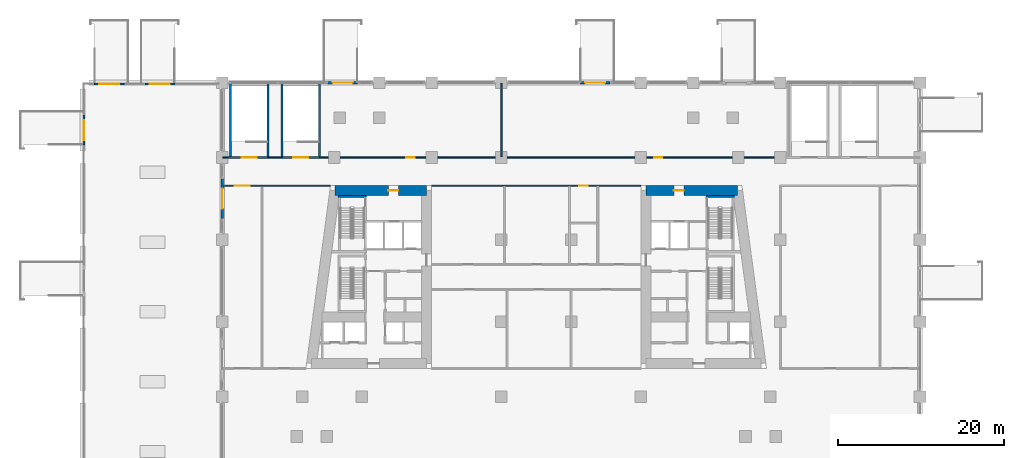
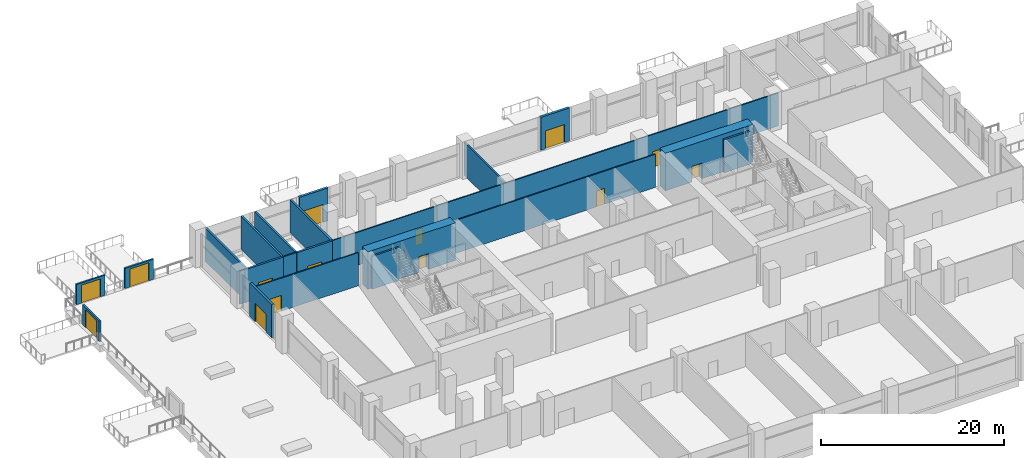
# One storey, part 22 of 33: 22 walls, 14 doors, 14 openings.
"""IFC4 building model written with IfcOpenShell, lengths in metres."""

from ifc_helpers import new_model, si_unit, direction, frame, frame_2d, origin, place, context, subcontext, project, spatial, rectangle, extrude, material, layer, layer_set, type_object, element, fill, save


model = new_model("IFC4")

# Units and contexts
model_context = context("Model", 3, precision=1e-05, world=origin(), true_north=direction((0.0, 1.0)))
body_context = subcontext(model_context, "Body", "Model", "MODEL_VIEW")
ifc_project = project(units=[si_unit("LENGTHUNIT", "METRE"), si_unit("AREAUNIT", "SQUARE_METRE"), si_unit("VOLUMEUNIT", "CUBIC_METRE"), si_unit("PLANEANGLEUNIT", "RADIAN"), si_unit("MASSUNIT", "GRAM", prefix="KILO")], contexts=[model_context])

# Site, building, storey
site_placement = place(None, origin())
site = spatial("IfcSite", under=ifc_project, at=site_placement, CompositionType="ELEMENT")
building_placement = place(site_placement, origin())
building = spatial("IfcBuilding", under=site, at=building_placement, Name="Candeia Pilgrim Tower and Theatre", CompositionType="ELEMENT")
storey_placement = place(building_placement, frame((0.0, 0.0, 29.0)))
storey = spatial("IfcBuildingStorey", under=building, at=storey_placement, Name="L04", CompositionType="ELEMENT", Elevation=29.0)

# Wall, opening, door
ifc_material_1 = material(Name="Concrete C80/95", Category="concrete")
ifc_layer_1 = layer(ifc_material_1, 1.199951171875)
ifc_layer_set_1 = layer_set([ifc_layer_1], Name="Core wall 1200 C80/95")
wall_type_1 = type_object("IfcWallType", Name="Core wall 1200 C80/95", PredefinedType="SHEAR", material=ifc_layer_set_1)
wall_1_placement = place(storey_placement, frame((89.155517578125, 131.800048828125, 0.0), z_axis=(0.0, 0.0, 1.0), x_axis=(1.0, 0.0, 0.0)))
wall_1 = element("IfcWall", 1, at=wall_1_placement, inside=storey, type_object=wall_type_1, Name="Core wall W1", PredefinedType="SHEAR", context=body_context, shape_type="SweptSolid", body=[
    extrude(rectangle(XDim=11.04443359375, YDim=1.199951171875, at=frame_2d((5.522216796875, 0.0))), origin(), (0.0, 0.0, 1.0), 5.0),
])
opening_1_placement = place(wall_1_placement, frame((6.4580078125, 0.0, 0.0)))
opening_1 = element("IfcOpeningElement", 2, at=opening_1_placement, cuts=wall_1, Name="Opening L04-D044", PredefinedType="OPENING", context=body_context, shape_type="SweptSolid", body=[
    extrude(rectangle(XDim=1.199951171875, YDim=2.10009765625, at=frame_2d((0.60009765625, 1.050048828125))), frame((0.0, 0.60986328125, 0.0), z_axis=(0.0, -1.0, 0.0), x_axis=(1.0, 0.0, 0.0)), (0.0, 0.0, 1.0), 1.219970703125),
])
ifc_material_2 = material(Name="Steel fire door set", Category="steel")
door_type_1 = type_object("IfcDoorType", Name="D-1200-FD60", OperationType="NOTDEFINED", PredefinedType="DOOR", material=ifc_material_2)
door_1_placement = place(opening_1_placement, origin())
door_1 = element("IfcDoor", 3, at=door_1_placement, inside=storey, type_object=door_type_1, Name="Door L04-D044", OperationType="SINGLE_SWING_RIGHT", OverallHeight=2.10009765625, OverallWidth=1.199951171875, PredefinedType="DOOR", context=body_context, shape_type="SweptSolid", body=[
    extrude(rectangle(XDim=1.199951171875, YDim=2.10009765625, at=frame_2d((0.60009765625, 1.050048828125))), frame((0.0, 0.02490234375, 0.0), z_axis=(0.0, -1.0, 0.0), x_axis=(1.0, 0.0, 0.0)), (0.0, 0.0, 1.0), 0.050048828125),
])
fill(opening_1, door_1)

wall_2_placement = place(storey_placement, frame((126.60009765625, 131.800048828125, 0.0), z_axis=(0.0, 0.0, 1.0), x_axis=(1.0, 0.0, 0.0)))
wall_2 = element("IfcWall", 4, at=wall_2_placement, inside=storey, type_object=wall_type_1, Name="Core wall E1", PredefinedType="SHEAR", context=body_context, shape_type="SweptSolid", body=[
    extrude(rectangle(XDim=11.04443359375, YDim=1.199951171875, at=frame_2d((5.522216796875, 0.0))), origin(), (0.0, 0.0, 1.0), 5.0),
])
opening_2_placement = place(wall_2_placement, frame((3.386474609375, 0.0, 0.0)))
opening_2 = element("IfcOpeningElement", 5, at=opening_2_placement, cuts=wall_2, Name="Opening L04-D047", PredefinedType="OPENING", context=body_context, shape_type="SweptSolid", body=[
    extrude(rectangle(XDim=1.199951171875, YDim=2.10009765625, at=frame_2d((0.60009765625, 1.050048828125))), frame((0.0, 0.60986328125, 0.0), z_axis=(0.0, -1.0, 0.0), x_axis=(1.0, 0.0, 0.0)), (0.0, 0.0, 1.0), 1.219970703125),
])
door_2_placement = place(opening_2_placement, origin())
door_2 = element("IfcDoor", 6, at=door_2_placement, inside=storey, type_object=door_type_1, Name="Door L04-D047", OperationType="SINGLE_SWING_LEFT", OverallHeight=2.10009765625, OverallWidth=1.199951171875, PredefinedType="DOOR", context=body_context, shape_type="SweptSolid", body=[
    extrude(rectangle(XDim=1.199951171875, YDim=2.10009765625, at=frame_2d((0.60009765625, 1.050048828125))), frame((0.0, 0.02490234375, 0.0), z_axis=(0.0, -1.0, 0.0), x_axis=(1.0, 0.0, 0.0)), (0.0, 0.0, 1.0), 0.050048828125),
])
fill(opening_2, door_2)

ifc_material_3 = material(Name="Ceramic block masonry", Category="masonry")
ifc_layer_2 = layer(ifc_material_3, 0.300048828125)
ifc_layer_set_2 = layer_set([ifc_layer_2], Name="EW2 entrance infill wall 300")
wall_type_2 = type_object("IfcWallType", Name="EW2 entrance infill wall 300", PredefinedType="SOLIDWALL", material=ifc_layer_set_2)
wall_3_placement = place(storey_placement, frame((75.60009765625, 128.449951171875, 0.0), z_axis=(0.0, 0.0, 1.0), x_axis=(0.0, 1.0, 0.0)))
wall_3 = element("IfcWall", 7, at=wall_3_placement, inside=storey, type_object=wall_type_2, Name="Entrance wall L04", PredefinedType="SOLIDWALL", context=body_context, shape_type="SweptSolid", body=[
    extrude(rectangle(XDim=4.800048828125, YDim=0.300048828125, at=frame_2d((2.39990234375, 0.0))), origin(), (0.0, 0.0, 1.0), 4.39990234375),
])
opening_3_placement = place(wall_3_placement, frame((1.199951171875, 0.0, 0.0)))
opening_3 = element("IfcOpeningElement", 8, at=opening_3_placement, cuts=wall_3, Name="Opening L04-ED076", PredefinedType="OPENING", context=body_context, shape_type="SweptSolid", body=[
    extrude(rectangle(XDim=2.39990234375, YDim=2.39990234375, at=frame_2d((1.199951171875, 1.199951171875))), frame((0.0, 0.16015625, 0.0), z_axis=(0.0, -1.0, 0.0), x_axis=(1.0, 0.0, 0.0)), (0.0, 0.0, 1.0), 0.320068359375),
])
ifc_material_4 = material(Name="Aluminium framed glazed door", Category="aluminium")
door_type_2 = type_object("IfcDoorType", Name="ED entrance double door 2400x2400", OperationType="DOUBLE_DOOR_DOUBLE_SWING", PredefinedType="DOOR", material=ifc_material_4)
door_3_placement = place(opening_3_placement, origin())
door_3 = element("IfcDoor", 9, at=door_3_placement, inside=storey, type_object=door_type_2, Name="Entrance door L04-ED076", OperationType="DOUBLE_DOOR_DOUBLE_SWING", OverallHeight=2.39990234375, OverallWidth=2.39990234375, PredefinedType="DOOR", context=body_context, shape_type="SweptSolid", body=[
    extrude(rectangle(XDim=2.39990234375, YDim=2.39990234375, at=frame_2d((1.199951171875, 1.199951171875))), frame((0.0, 0.02490234375, 0.0), z_axis=(0.0, -1.0, 0.0), x_axis=(1.0, 0.0, 0.0)), (0.0, 0.0, 1.0), 0.050048828125),
])
fill(opening_3, door_3)

wall_4_placement = place(storey_placement, frame((88.300048828125, 144.800048828125, 0.0), z_axis=(0.0, 0.0, 1.0), x_axis=(1.0, 0.0, 0.0)))
wall_4 = element("IfcWall", 10, at=wall_4_placement, inside=storey, type_object=wall_type_2, Name="Entrance wall L04", PredefinedType="SOLIDWALL", context=body_context, shape_type="SweptSolid", body=[
    extrude(rectangle(XDim=3.599853515625, YDim=0.300048828125, at=frame_2d((1.7998046875, 0.0))), origin(), (0.0, 0.0, 1.0), 4.39990234375),
])
opening_4_placement = place(wall_4_placement, frame((0.60009765625, 0.0, 0.0)))
opening_4 = element("IfcOpeningElement", 11, at=opening_4_placement, cuts=wall_4, Name="Opening L04-ED077", PredefinedType="OPENING", context=body_context, shape_type="SweptSolid", body=[
    extrude(rectangle(XDim=2.39990234375, YDim=2.39990234375, at=frame_2d((1.199951171875, 1.199951171875))), frame((0.0, 0.16015625, 0.0), z_axis=(0.0, -1.0, 0.0), x_axis=(1.0, 0.0, 0.0)), (0.0, 0.0, 1.0), 0.320068359375),
])
door_4_placement = place(opening_4_placement, origin())
door_4 = element("IfcDoor", 12, at=door_4_placement, inside=storey, type_object=door_type_2, Name="Entrance door L04-ED077", OperationType="DOUBLE_DOOR_DOUBLE_SWING", OverallHeight=2.39990234375, OverallWidth=2.39990234375, PredefinedType="DOOR", context=body_context, shape_type="SweptSolid", body=[
    extrude(rectangle(XDim=2.39990234375, YDim=2.39990234375, at=frame_2d((1.199951171875, 1.199951171875))), frame((0.0, 0.02490234375, 0.0), z_axis=(0.0, -1.0, 0.0), x_axis=(1.0, 0.0, 0.0)), (0.0, 0.0, 1.0), 0.050048828125),
])
fill(opening_4, door_4)

wall_5_placement = place(storey_placement, frame((118.699951171875, 144.800048828125, 0.0), z_axis=(0.0, 0.0, 1.0), x_axis=(1.0, 0.0, 0.0)))
wall_5 = element("IfcWall", 13, at=wall_5_placement, inside=storey, type_object=wall_type_2, Name="Entrance wall L04", PredefinedType="SOLIDWALL", context=body_context, shape_type="SweptSolid", body=[
    extrude(rectangle(XDim=3.60009765625, YDim=0.300048828125, at=frame_2d((1.800048828125, 0.0))), origin(), (0.0, 0.0, 1.0), 4.39990234375),
])
opening_5_placement = place(wall_5_placement, frame((0.60009765625, 0.0, 0.0)))
opening_5 = element("IfcOpeningElement", 14, at=opening_5_placement, cuts=wall_5, Name="Opening L04-ED078", PredefinedType="OPENING", context=body_context, shape_type="SweptSolid", body=[
    extrude(rectangle(XDim=2.39990234375, YDim=2.39990234375, at=frame_2d((1.199951171875, 1.199951171875))), frame((0.0, 0.16015625, 0.0), z_axis=(0.0, -1.0, 0.0), x_axis=(1.0, 0.0, 0.0)), (0.0, 0.0, 1.0), 0.320068359375),
])
door_5_placement = place(opening_5_placement, origin())
door_5 = element("IfcDoor", 15, at=door_5_placement, inside=storey, type_object=door_type_2, Name="Entrance door L04-ED078", OperationType="DOUBLE_DOOR_DOUBLE_SWING", OverallHeight=2.39990234375, OverallWidth=2.39990234375, PredefinedType="DOOR", context=body_context, shape_type="SweptSolid", body=[
    extrude(rectangle(XDim=2.39990234375, YDim=2.39990234375, at=frame_2d((1.199951171875, 1.199951171875))), frame((0.0, 0.02490234375, 0.0), z_axis=(0.0, -1.0, 0.0), x_axis=(1.0, 0.0, 0.0)), (0.0, 0.0, 1.0), 0.050048828125),
])
fill(opening_5, door_5)

ifc_material_5 = material(Name="Concrete C35/45", Category="concrete")
ifc_layer_3 = layer(ifc_material_5, 0.199951171875)
ifc_layer_set_3 = layer_set([ifc_layer_3], Name="Escape stair gate wall 200")
wall_type_3 = type_object("IfcWallType", Name="Escape stair gate wall 200", PredefinedType="SOLIDWALL", material=ifc_layer_set_3)
wall_6_placement = place(storey_placement, frame((60.199951171875, 144.64990234375, 0.0), z_axis=(0.0, 0.0, 1.0), x_axis=(1.0, 0.0, 0.0)))
wall_6 = element("IfcWall", 16, at=wall_6_placement, inside=storey, type_object=wall_type_3, Name="L04 External escape stair ES3 terrace gate wall", PredefinedType="SOLIDWALL", context=body_context, shape_type="SweptSolid", body=[
    extrude(rectangle(XDim=3.60009765625, YDim=0.199951171875, at=frame_2d((1.800048828125, 0.0))), origin(), (0.0, 0.0, 1.0), 2.699951171875),
])
opening_6_placement = place(wall_6_placement, frame((0.60009765625, 0.0, 0.0)))
opening_6 = element("IfcOpeningElement", 17, at=opening_6_placement, cuts=wall_6, Name="Opening XD-3-04", PredefinedType="OPENING", context=body_context, shape_type="SweptSolid", body=[
    extrude(rectangle(XDim=2.39990234375, YDim=2.39990234375, at=frame_2d((1.199951171875, 1.199951171875))), frame((0.0, 0.10986328125, 0.0), z_axis=(0.0, -1.0, 0.0), x_axis=(1.0, 0.0, 0.0)), (0.0, 0.0, 1.0), 0.219970703125),
])
door_6_placement = place(opening_6_placement, origin())
door_6 = element("IfcDoor", 18, at=door_6_placement, inside=storey, type_object=door_type_2, Name="Terrace gate door ES3 L04", OperationType="DOUBLE_DOOR_DOUBLE_SWING", OverallHeight=2.39990234375, OverallWidth=2.39990234375, PredefinedType="DOOR", context=body_context, shape_type="SweptSolid", body=[
    extrude(rectangle(XDim=2.39990234375, YDim=2.39990234375, at=frame_2d((1.199951171875, 1.199951171875))), frame((0.0, 0.02490234375, 0.0), z_axis=(0.0, -1.0, 0.0), x_axis=(1.0, 0.0, 0.0)), (0.0, 0.0, 1.0), 0.050048828125),
])
fill(opening_6, door_6)

wall_7_placement = place(storey_placement, frame((66.300048828125, 144.64990234375, 0.0), z_axis=(0.0, 0.0, 1.0), x_axis=(1.0, 0.0, 0.0)))
wall_7 = element("IfcWall", 19, at=wall_7_placement, inside=storey, type_object=wall_type_3, Name="L04 External escape stair ES4 terrace gate wall", PredefinedType="SOLIDWALL", context=body_context, shape_type="SweptSolid", body=[
    extrude(rectangle(XDim=3.599853515625, YDim=0.199951171875, at=frame_2d((1.7998046875, 0.0))), origin(), (0.0, 0.0, 1.0), 2.699951171875),
])
opening_7_placement = place(wall_7_placement, frame((0.60009765625, 0.0, 0.0)))
opening_7 = element("IfcOpeningElement", 20, at=opening_7_placement, cuts=wall_7, Name="Opening XD-4-04", PredefinedType="OPENING", context=body_context, shape_type="SweptSolid", body=[
    extrude(rectangle(XDim=2.39990234375, YDim=2.39990234375, at=frame_2d((1.199951171875, 1.199951171875))), frame((0.0, 0.10986328125, 0.0), z_axis=(0.0, -1.0, 0.0), x_axis=(1.0, 0.0, 0.0)), (0.0, 0.0, 1.0), 0.219970703125),
])
door_7_placement = place(opening_7_placement, origin())
door_7 = element("IfcDoor", 21, at=door_7_placement, inside=storey, type_object=door_type_2, Name="Terrace gate door ES4 L04", OperationType="DOUBLE_DOOR_DOUBLE_SWING", OverallHeight=2.39990234375, OverallWidth=2.39990234375, PredefinedType="DOOR", context=body_context, shape_type="SweptSolid", body=[
    extrude(rectangle(XDim=2.39990234375, YDim=2.39990234375, at=frame_2d((1.199951171875, 1.199951171875))), frame((0.0, 0.02490234375, 0.0), z_axis=(0.0, -1.0, 0.0), x_axis=(1.0, 0.0, 0.0)), (0.0, 0.0, 1.0), 0.050048828125),
])
fill(opening_7, door_7)

wall_8_placement = place(storey_placement, frame((58.949951171875, 137.300048828125, 0.0), z_axis=(0.0, 0.0, 1.0), x_axis=(0.0, 1.0, 0.0)))
wall_8 = element("IfcWall", 22, at=wall_8_placement, inside=storey, type_object=wall_type_3, Name="L04 External escape stair ES13 terrace gate wall", PredefinedType="SOLIDWALL", context=body_context, shape_type="SweptSolid", body=[
    extrude(rectangle(XDim=3.599853515625, YDim=0.199951171875, at=frame_2d((1.7998046875, 0.0))), origin(), (0.0, 0.0, 1.0), 2.699951171875),
])
opening_8_placement = place(wall_8_placement, frame((0.60009765625, 0.0, 0.0)))
opening_8 = element("IfcOpeningElement", 23, at=opening_8_placement, cuts=wall_8, Name="Opening XD-13-04", PredefinedType="OPENING", context=body_context, shape_type="SweptSolid", body=[
    extrude(rectangle(XDim=2.39990234375, YDim=2.39990234375, at=frame_2d((1.199951171875, 1.199951171875))), frame((0.0, 0.10986328125, 0.0), z_axis=(0.0, -1.0, 0.0), x_axis=(1.0, 0.0, 0.0)), (0.0, 0.0, 1.0), 0.219970703125),
])
door_8_placement = place(opening_8_placement, origin())
door_8 = element("IfcDoor", 24, at=door_8_placement, inside=storey, type_object=door_type_2, Name="Terrace gate door ES13 L04", OperationType="DOUBLE_DOOR_DOUBLE_SWING", OverallHeight=2.39990234375, OverallWidth=2.39990234375, PredefinedType="DOOR", context=body_context, shape_type="SweptSolid", body=[
    extrude(rectangle(XDim=2.39990234375, YDim=2.39990234375, at=frame_2d((1.199951171875, 1.199951171875))), frame((0.0, 0.02490234375, 0.0), z_axis=(0.0, -1.0, 0.0), x_axis=(1.0, 0.0, 0.0)), (0.0, 0.0, 1.0), 0.050048828125),
])
fill(opening_8, door_8)

ifc_material_6 = material(Name="Gypsum board partition on steel studs", Category="steel")
ifc_layer_4 = layer(ifc_material_6, 0.14990234375)
ifc_layer_set_4 = layer_set([ifc_layer_4], Name="PW-150 unit wall")
wall_type_4 = type_object("IfcWallType", Name="PW-150 unit wall", PredefinedType="PARTITIONING", material=ifc_layer_set_4)
wall_9_placement = place(storey_placement, frame((75.64990234375, 132.39990234375, 0.0), z_axis=(0.0, 0.0, 1.0), x_axis=(1.0, 0.0, 0.0)))
wall_9 = element("IfcWall", 25, at=wall_9_placement, inside=storey, type_object=wall_type_4, Name="Unit wall L04-032", PredefinedType="PARTITIONING", context=body_context, shape_type="SweptSolid", body=[
    extrude(rectangle(XDim=12.981201171875, YDim=0.14990234375, at=frame_2d((6.49072265625, 0.0))), origin(), (0.0, 0.0, 1.0), 4.39990234375),
])
opening_9_placement = place(wall_9_placement, frame((1.449951171875, 0.0, 0.0)))
opening_9 = element("IfcOpeningElement", 26, at=opening_9_placement, cuts=wall_9, Name="Opening L04-D027", PredefinedType="OPENING", context=body_context, shape_type="SweptSolid", body=[
    extrude(rectangle(XDim=1.800048828125, YDim=2.10009765625, at=frame_2d((0.89990234375, 1.050048828125))), frame((0.0, 0.0849609375, 0.0), z_axis=(0.0, -1.0, 0.0), x_axis=(1.0, 0.0, 0.0)), (0.0, 0.0, 1.0), 0.169921875),
])
door_type_3 = type_object("IfcDoorType", Name="D-1800-FD60", OperationType="NOTDEFINED", PredefinedType="DOOR", material=ifc_material_2)
door_9_placement = place(opening_9_placement, origin())
door_9 = element("IfcDoor", 27, at=door_9_placement, inside=storey, type_object=door_type_3, Name="Door L04-D027", OperationType="SINGLE_SWING_LEFT", OverallHeight=2.10009765625, OverallWidth=1.800048828125, PredefinedType="DOOR", context=body_context, shape_type="SweptSolid", body=[
    extrude(rectangle(XDim=1.800048828125, YDim=2.10009765625, at=frame_2d((0.89990234375, 1.050048828125))), frame((0.0, 0.02490234375, 0.0), z_axis=(0.0, -1.0, 0.0), x_axis=(1.0, 0.0, 0.0)), (0.0, 0.0, 1.0), 0.050048828125),
])
fill(opening_9, door_9)

wall_10_placement = place(storey_placement, frame((100.800048828125, 132.39990234375, 0.0), z_axis=(0.0, 0.0, 1.0), x_axis=(1.0, 0.0, 0.0)))
wall_10 = element("IfcWall", 28, at=wall_10_placement, inside=storey, type_object=wall_type_4, Name="Unit wall L04-033", PredefinedType="PARTITIONING", context=body_context, shape_type="SweptSolid", body=[
    extrude(rectangle(XDim=25.199951171875, YDim=0.14990234375, at=frame_2d((12.60009765625, 0.0))), origin(), (0.0, 0.0, 1.0), 4.39990234375),
])
opening_10_placement = place(wall_10_placement, frame((17.800048828125, 0.0, 0.0)))
opening_10 = element("IfcOpeningElement", 29, at=opening_10_placement, cuts=wall_10, Name="Opening L04-D019", PredefinedType="OPENING", context=body_context, shape_type="SweptSolid", body=[
    extrude(rectangle(XDim=1.0, YDim=2.10009765625, at=frame_2d((0.5, 1.050048828125))), frame((0.0, 0.0849609375, 0.0), z_axis=(0.0, -1.0, 0.0), x_axis=(1.0, 0.0, 0.0)), (0.0, 0.0, 1.0), 0.169921875),
])
door_type_4 = type_object("IfcDoorType", Name="D-1000-FD30S", OperationType="NOTDEFINED", PredefinedType="DOOR", material=ifc_material_2)
door_10_placement = place(opening_10_placement, origin())
door_10 = element("IfcDoor", 30, at=door_10_placement, inside=storey, type_object=door_type_4, Name="Door L04-D019", OperationType="SINGLE_SWING_LEFT", OverallHeight=2.10009765625, OverallWidth=1.0, PredefinedType="DOOR", context=body_context, shape_type="SweptSolid", body=[
    extrude(rectangle(XDim=1.0, YDim=2.10009765625, at=frame_2d((0.5, 1.050048828125))), frame((0.0, 0.02490234375, 0.0), z_axis=(0.0, -1.0, 0.0), x_axis=(1.0, 0.0, 0.0)), (0.0, 0.0, 1.0), 0.050048828125),
])
fill(opening_10, door_10)

# Walls
wall_11_placement = place(storey_placement, frame((75.64990234375, 135.800048828125, 0.0), z_axis=(0.0, 0.0, 1.0), x_axis=(1.0, 0.0, 0.0)))
element("IfcWall", 31, at=wall_11_placement, inside=storey, type_object=wall_type_4, Name="Unit wall L04-039", PredefinedType="PARTITIONING", context=body_context, shape_type="SweptSolid", body=[
    extrude(rectangle(XDim=0.6201171875, YDim=0.14990234375, at=frame_2d((0.31005859375, 0.0))), origin(), (0.0, 0.0, 1.0), 4.39990234375),
])
wall_12_placement = place(storey_placement, frame((81.10009765625, 135.800048828125, 0.0), z_axis=(0.0, 0.0, 1.0), x_axis=(1.0, 0.0, 0.0)))
element("IfcWall", 32, at=wall_12_placement, inside=storey, type_object=wall_type_4, Name="Unit wall L04-040", PredefinedType="PARTITIONING", context=body_context, shape_type="SweptSolid", body=[
    extrude(rectangle(XDim=1.699951171875, YDim=0.14990234375, at=frame_2d((0.85009765625, 0.0))), origin(), (0.0, 0.0, 1.0), 4.39990234375),
])

# Wall, openings, doors
wall_13_placement = place(storey_placement, frame((87.300048828125, 135.800048828125, 0.0), z_axis=(0.0, 0.0, 1.0), x_axis=(1.0, 0.0, 0.0)))
wall_13 = element("IfcWall", 33, at=wall_13_placement, inside=storey, type_object=wall_type_4, Name="Unit wall L04-041", PredefinedType="PARTITIONING", context=body_context, shape_type="SweptSolid", body=[
    extrude(rectangle(XDim=56.169921875, YDim=0.14990234375, at=frame_2d((28.0849609375, 0.0))), origin(), (0.0, 0.0, 1.0), 4.39990234375),
])
opening_11_placement = place(wall_13_placement, frame((10.449951171875, 0.0, 0.0)))
opening_11 = element("IfcOpeningElement", 34, at=opening_11_placement, cuts=wall_13, Name="Opening L04-D024", PredefinedType="OPENING", context=body_context, shape_type="SweptSolid", body=[
    extrude(rectangle(XDim=1.0, YDim=2.10009765625, at=frame_2d((0.5, 1.050048828125))), frame((0.0, 0.0849609375, 0.0), z_axis=(0.0, -1.0, 0.0), x_axis=(1.0, 0.0, 0.0)), (0.0, 0.0, 1.0), 0.169921875),
])
opening_12_placement = place(wall_13_placement, frame((40.2900390625, 0.0, 0.0)))
opening_12 = element("IfcOpeningElement", 35, at=opening_12_placement, cuts=wall_13, Name="Opening L04-D025", PredefinedType="OPENING", context=body_context, shape_type="SweptSolid", body=[
    extrude(rectangle(XDim=1.0, YDim=2.10009765625, at=frame_2d((0.5, 1.050048828125))), frame((0.0, 0.0849609375, 0.0), z_axis=(0.0, -1.0, 0.0), x_axis=(1.0, 0.0, 0.0)), (0.0, 0.0, 1.0), 0.169921875),
])
door_11_placement = place(opening_11_placement, origin())
door_11 = element("IfcDoor", 36, at=door_11_placement, inside=storey, type_object=door_type_4, Name="Door L04-D024", OperationType="SINGLE_SWING_RIGHT", OverallHeight=2.10009765625, OverallWidth=1.0, PredefinedType="DOOR", context=body_context, shape_type="SweptSolid", body=[
    extrude(rectangle(XDim=1.0, YDim=2.10009765625, at=frame_2d((0.5, 1.050048828125))), frame((0.0, 0.02490234375, 0.0), z_axis=(0.0, -1.0, 0.0), x_axis=(1.0, 0.0, 0.0)), (0.0, 0.0, 1.0), 0.050048828125),
])
fill(opening_11, door_11)
door_12_placement = place(opening_12_placement, origin())
door_12 = element("IfcDoor", 37, at=door_12_placement, inside=storey, type_object=door_type_4, Name="Door L04-D025", OperationType="SINGLE_SWING_LEFT", OverallHeight=2.10009765625, OverallWidth=1.0, PredefinedType="DOOR", context=body_context, shape_type="SweptSolid", body=[
    extrude(rectangle(XDim=1.0, YDim=2.10009765625, at=frame_2d((0.5, 1.050048828125))), frame((0.0, 0.02490234375, 0.0), z_axis=(0.0, -1.0, 0.0), x_axis=(1.0, 0.0, 0.0)), (0.0, 0.0, 1.0), 0.050048828125),
])
fill(opening_12, door_12)

# Walls
ifc_layer_5 = layer(ifc_material_6, 0.199951171875)
ifc_layer_set_5 = layer_set([ifc_layer_5], Name="PW-200 party wall")
wall_type_5 = type_object("IfcWallType", Name="PW-200 party wall", PredefinedType="PARTITIONING", material=ifc_layer_set_5)
wall_14_placement = place(storey_placement, frame((109.199951171875, 135.875, 0.0), z_axis=(0.0, 0.0, 1.0), x_axis=(0.0, 1.0, 0.0)))
element("IfcWall", 38, at=wall_14_placement, inside=storey, type_object=wall_type_5, Name="Party wall L04-068", PredefinedType="PARTITIONING", context=body_context, shape_type="SweptSolid", body=[
    extrude(rectangle(XDim=8.875, YDim=0.199951171875, at=frame_2d((4.4375, 0.0))), origin(), (0.0, 0.0, 1.0), 4.39990234375),
])
ifc_material_7 = material(Name="Concrete C40/50", Category="concrete")
ifc_layer_6 = layer(ifc_material_7, 0.25)
ifc_layer_set_6 = layer_set([ifc_layer_6], Name="SW-250 stair wall")
wall_type_6 = type_object("IfcWallType", Name="SW-250 stair wall", PredefinedType="PARTITIONING", material=ifc_layer_set_6)
wall_15_placement = place(storey_placement, frame((89.552001953125, 131.10107421875, 0.0), z_axis=(0.0, 0.0, 1.0), x_axis=(1.0, 0.0, 0.0)))
element("IfcWall", 39, at=wall_15_placement, inside=storey, type_object=wall_type_6, Name="Stair wall L04-030", PredefinedType="PARTITIONING", context=body_context, shape_type="SweptSolid", body=[
    extrude(rectangle(XDim=3.39990234375, YDim=0.25, at=frame_2d((1.699951171875, 0.0))), origin(), (0.0, 0.0, 1.0), 4.39990234375),
])
wall_16_placement = place(storey_placement, frame((133.847900390625, 131.10107421875, 0.0), z_axis=(0.0, 0.0, 1.0), x_axis=(1.0, 0.0, 0.0)))
element("IfcWall", 40, at=wall_16_placement, inside=storey, type_object=wall_type_6, Name="Stair wall L04-031", PredefinedType="PARTITIONING", context=body_context, shape_type="SweptSolid", body=[
    extrude(rectangle(XDim=3.400146484375, YDim=0.25, at=frame_2d((1.7001953125, 0.0))), origin(), (0.0, 0.0, 1.0), 4.39990234375),
])

# Wall, opening, door
wall_17_placement = place(storey_placement, frame((76.27001953125, 135.800048828125, 0.0), z_axis=(0.0, 0.0, 1.0), x_axis=(1.0, 0.0, 0.0)))
wall_17 = element("IfcWall", 41, at=wall_17_placement, inside=storey, type_object=wall_type_6, Name="Stair wall L04-035", PredefinedType="PARTITIONING", context=body_context, shape_type="SweptSolid", body=[
    extrude(rectangle(XDim=4.830078125, YDim=0.25, at=frame_2d((2.4150390625, 0.0))), origin(), (0.0, 0.0, 1.0), 4.39990234375),
])
opening_13_placement = place(wall_17_placement, frame((1.679931640625, 0.0, 0.0)))
opening_13 = element("IfcOpeningElement", 42, at=opening_13_placement, cuts=wall_17, Name="Opening L04-D020", PredefinedType="OPENING", context=body_context, shape_type="SweptSolid", body=[
    extrude(rectangle(XDim=1.800048828125, YDim=2.10009765625, at=frame_2d((0.89990234375, 1.050048828125))), frame((0.0, 0.135009765625, 0.0), z_axis=(0.0, -1.0, 0.0), x_axis=(1.0, 0.0, 0.0)), (0.0, 0.0, 1.0), 0.27001953125),
])
ifc_material_8 = material(Name="Steel exit door", Category="steel")
door_type_5 = type_object("IfcDoorType", Name="DX-1800-FD60", OperationType="NOTDEFINED", PredefinedType="DOOR", material=ifc_material_8)
door_13_placement = place(opening_13_placement, origin())
door_13 = element("IfcDoor", 43, at=door_13_placement, inside=storey, type_object=door_type_5, Name="Door L04-D020", OperationType="SINGLE_SWING_RIGHT", OverallHeight=2.10009765625, OverallWidth=1.800048828125, PredefinedType="DOOR", context=body_context, shape_type="SweptSolid", body=[
    extrude(rectangle(XDim=1.800048828125, YDim=2.10009765625, at=frame_2d((0.89990234375, 1.050048828125))), frame((0.0, 0.02490234375, 0.0), z_axis=(0.0, -1.0, 0.0), x_axis=(1.0, 0.0, 0.0)), (0.0, 0.0, 1.0), 0.050048828125),
])
fill(opening_13, door_13)

wall_18_placement = place(storey_placement, frame((82.800048828125, 135.800048828125, 0.0), z_axis=(0.0, 0.0, 1.0), x_axis=(1.0, 0.0, 0.0)))
wall_18 = element("IfcWall", 44, at=wall_18_placement, inside=storey, type_object=wall_type_6, Name="Stair wall L04-036", PredefinedType="PARTITIONING", context=body_context, shape_type="SweptSolid", body=[
    extrude(rectangle(XDim=4.5, YDim=0.25, at=frame_2d((2.25, 0.0))), origin(), (0.0, 0.0, 1.0), 4.39990234375),
])
opening_14_placement = place(wall_18_placement, frame((1.35009765625, 0.0, 0.0)))
opening_14 = element("IfcOpeningElement", 45, at=opening_14_placement, cuts=wall_18, Name="Opening L04-D021", PredefinedType="OPENING", context=body_context, shape_type="SweptSolid", body=[
    extrude(rectangle(XDim=1.800048828125, YDim=2.10009765625, at=frame_2d((0.89990234375, 1.050048828125))), frame((0.0, 0.135009765625, 0.0), z_axis=(0.0, -1.0, 0.0), x_axis=(1.0, 0.0, 0.0)), (0.0, 0.0, 1.0), 0.27001953125),
])
door_14_placement = place(opening_14_placement, origin())
door_14 = element("IfcDoor", 46, at=door_14_placement, inside=storey, type_object=door_type_5, Name="Door L04-D021", OperationType="SINGLE_SWING_LEFT", OverallHeight=2.10009765625, OverallWidth=1.800048828125, PredefinedType="DOOR", context=body_context, shape_type="SweptSolid", body=[
    extrude(rectangle(XDim=1.800048828125, YDim=2.10009765625, at=frame_2d((0.89990234375, 1.050048828125))), frame((0.0, 0.02490234375, 0.0), z_axis=(0.0, -1.0, 0.0), x_axis=(1.0, 0.0, 0.0)), (0.0, 0.0, 1.0), 0.050048828125),
])
fill(opening_14, door_14)

# Walls
for number, where, z_axis, x_axis, name in (
    (47, (76.60009765625, 135.925048828125, 0.0), (0.0, 0.0, 1.0), (0.0, 1.0, 0.0), "Stair wall L04-044"),
    (48, (81.10009765625, 135.925048828125, 0.0), (0.0, 0.0, 1.0), (0.0, 1.0, 0.0), "Stair wall L04-046"),
    (49, (82.800048828125, 135.925048828125, 0.0), (0.0, 0.0, 1.0), (0.0, 1.0, 0.0), "Stair wall L04-047"),
    (50, (87.300048828125, 135.925048828125, 0.0), (0.0, 0.0, 1.0), (0.0, 1.0, 0.0), "Stair wall L04-048"),
):
    element("IfcWall", number, at=place(storey_placement, frame(where, z_axis=z_axis, x_axis=x_axis)), inside=storey, type_object=wall_type_6, Name=name, PredefinedType="PARTITIONING", context=body_context, shape_type="SweptSolid", body=[
        extrude(rectangle(XDim=8.824951171875, YDim=0.25, at=frame_2d((4.41259765625, 0.0))), origin(), (0.0, 0.0, 1.0), 4.39990234375),
    ])

save(model, "model.ifc")
